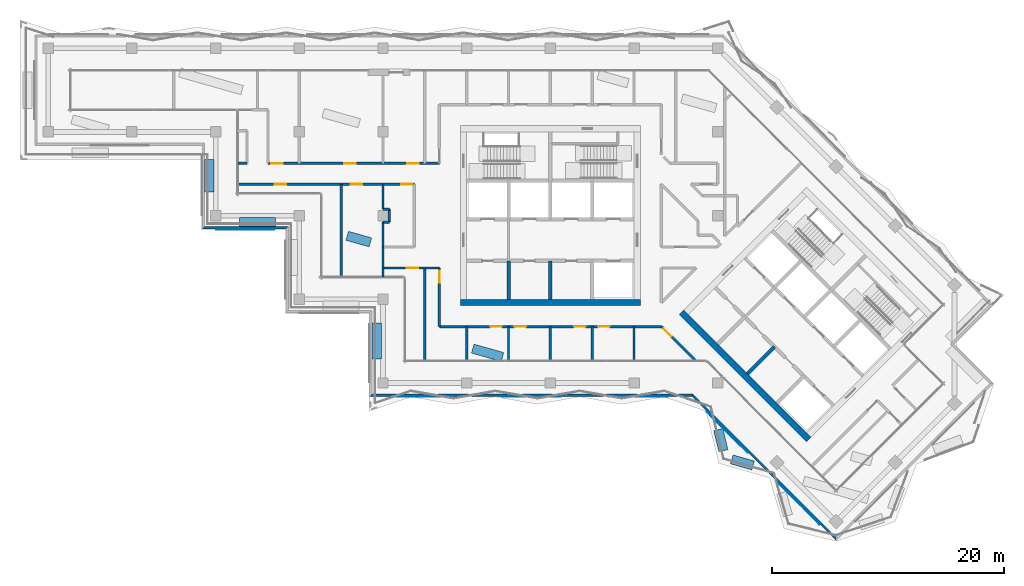
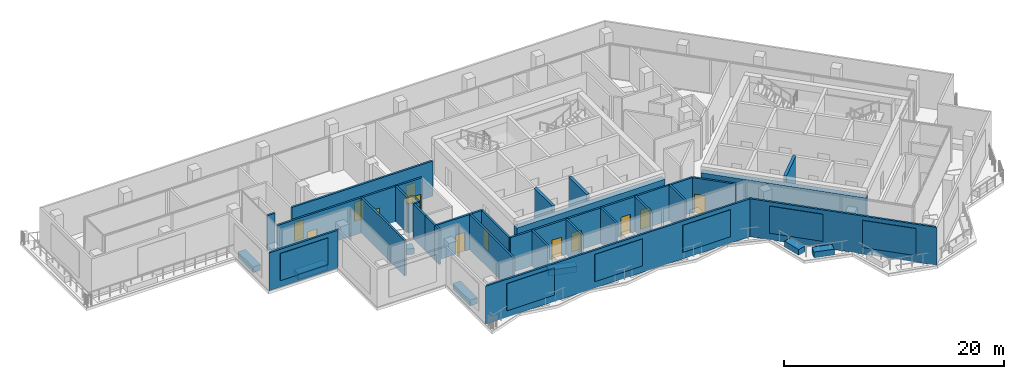
# One storey, part 9 of 19: 36 walls, 13 doors, 6 plates, 13 openings.
"""IFC4 building model written with IfcOpenShell, lengths in metres."""

from ifc_helpers import new_model, si_unit, direction, frame, frame_2d, origin, place, context, subcontext, project, spatial, polyline, rectangle, outline, extrude, material, layer, layer_set, type_object, element, fill, aggregate, save


model = new_model("IFC4")

# Units and contexts
model_context = context("Model", 3, precision=1e-05, world=origin(), true_north=direction((0.0, 1.0)))
body_context = subcontext(model_context, "Body", "Model", "MODEL_VIEW")
ifc_project = project(units=[si_unit("LENGTHUNIT", "METRE"), si_unit("AREAUNIT", "SQUARE_METRE"), si_unit("VOLUMEUNIT", "CUBIC_METRE"), si_unit("PLANEANGLEUNIT", "RADIAN"), si_unit("MASSUNIT", "GRAM", prefix="KILO")], contexts=[model_context])

# Plate
ifc_material_1 = material(Name="Aluminium louvre", Category="aluminium")
ifc_layer_1 = layer(ifc_material_1, 0.05)
ifc_layer_set_1 = layer_set([ifc_layer_1], Name="Belt louvre panel 5000x3000")
plate_type = type_object("IfcPlateType", Name="Belt louvre panel 5000x3000", PredefinedType="SHEET", material=ifc_layer_set_1)
site_placement = place(None, origin())
building_placement = place(site_placement, origin())
storey_placement = place(building_placement, frame((0.0, 0.0, 176.2)))
plate_1_placement = place(storey_placement, frame((36.05, 56.4, 0.75), z_axis=(0.0, -1.0, 0.0), x_axis=(1.0, 0.0, 0.0)))
plate_1 = element("IfcPlate", 1, at=plate_1_placement, type_object=plate_type, Name="Belt louvre panel L48 45.1", PredefinedType="SHEET", context=body_context, shape_type="SweptSolid", body=[
    extrude(outline(polyline([(0.0, 0.0), (5.0, 0.0), (5.0, 3.0), (0.0, 3.0), (0.0, 0.0)])), origin(), (0.0, 0.0, -1.0), 0.05),
])

plate_2_placement = place(storey_placement, frame((51.4613, 42.0, 0.75), z_axis=(0.0, -1.0, 0.0), x_axis=(1.0, 0.0, 0.0)))
plate_2 = element("IfcPlate", 2, at=plate_2_placement, type_object=plate_type, Name="Belt louvre panel L48 61.1", PredefinedType="SHEET", context=body_context, shape_type="SweptSolid", body=[
    extrude(outline(polyline([(0.0, 0.0), (5.0, 0.0), (5.0, 3.0), (0.0, 3.0), (0.0, 0.0)])), origin(), (0.0, 0.0, -1.0), 0.05),
])

plate_3_placement = place(storey_placement, frame((60.684, 42.0, 0.75), z_axis=(0.0, -1.0, 0.0), x_axis=(1.0, 0.0, 0.0)))
plate_3 = element("IfcPlate", 3, at=plate_3_placement, type_object=plate_type, Name="Belt louvre panel L48 62.2", PredefinedType="SHEET", context=body_context, shape_type="SweptSolid", body=[
    extrude(outline(polyline([(0.0, 0.0), (5.0, 0.0), (5.0, 3.0), (0.0, 3.0), (0.0, 0.0)])), origin(), (0.0, 0.0, -1.0), 0.05),
])

plate_4_placement = place(storey_placement, frame((69.9067, 42.0, 0.75), z_axis=(0.0, -1.0, 0.0), x_axis=(1.0, 0.0, 0.0)))
plate_4 = element("IfcPlate", 4, at=plate_4_placement, type_object=plate_type, Name="Belt louvre panel L48 63.3", PredefinedType="SHEET", context=body_context, shape_type="SweptSolid", body=[
    extrude(outline(polyline([(0.0, 0.0), (5.0, 0.0), (5.0, 3.0), (0.0, 3.0), (0.0, 0.0)])), origin(), (0.0, 0.0, -1.0), 0.05),
])

plate_5_placement = place(storey_placement, frame((78.2353, 40.7207, 0.75), z_axis=(-0.7071167811, -0.7070967812, 0.0), x_axis=(0.7070967812, -0.7071167811, 0.0)))
plate_5 = element("IfcPlate", 5, at=plate_5_placement, type_object=plate_type, Name="Belt louvre panel L48 69.1", PredefinedType="SHEET", context=body_context, shape_type="SweptSolid", body=[
    extrude(outline(polyline([(0.0, 0.0), (5.0, 0.0), (5.0, 3.0), (0.0, 3.0), (0.0, 0.0)])), origin(), (0.0, 0.0, -1.0), 0.05),
])

plate_6_placement = place(storey_placement, frame((84.4174, 34.5385, 0.75), z_axis=(-0.7070967812, -0.7071167811, 0.0), x_axis=(0.7071167811, -0.7070967812, 0.0)))
plate_6 = element("IfcPlate", 6, at=plate_6_placement, type_object=plate_type, Name="Belt louvre panel L48 70.2", PredefinedType="SHEET", context=body_context, shape_type="SweptSolid", body=[
    extrude(outline(polyline([(0.0, 0.0), (5.0, 0.0), (5.0, 3.0), (0.0, 3.0), (0.0, 0.0)])), origin(), (0.0, 0.0, -1.0), 0.05),
])

# Site, building, storey
site = spatial("IfcSite", under=ifc_project, at=site_placement, CompositionType="ELEMENT")
building = spatial("IfcBuilding", under=site, at=building_placement, Name="Windrow Commons", CompositionType="ELEMENT")
storey = spatial("IfcBuildingStorey", under=building, at=storey_placement, Name="L48", CompositionType="ELEMENT", Elevation=176.2)

# Wall
ifc_material_2 = material(Name="Concrete C40/50 precast screen panel", Category="concrete")
ifc_layer_2 = layer(ifc_material_2, 0.2)
ifc_layer_set_2 = layer_set([ifc_layer_2], Name="Belt screen wall 200")
wall_type_1 = type_object("IfcWallType", Name="Belt screen wall 200", PredefinedType="SOLIDWALL", material=ifc_layer_set_2)
wall_1_placement = place(storey_placement, frame((34.95, 56.55, 0.0), z_axis=(0.0, 0.0, 1.0), x_axis=(1.0, 0.0, 0.0)))
wall_1 = element("IfcWall", 7, at=wall_1_placement, inside=storey, type_object=wall_type_1, Name="Belt screen wall L48 45", PredefinedType="SOLIDWALL", context=body_context, shape_type="SweptSolid", body=[
    extrude(outline(polyline([(-0.1, -0.1), (7.1, -0.1), (7.3, 0.1), (0.1, 0.1), (-0.1, -0.1)])), origin(), (0.0, 0.0, 1.0), 4.2),
])

aggregate(wall_1, [plate_1])

wall_2_placement = place(storey_placement, frame((49.35, 42.15, 0.0), z_axis=(0.0, 0.0, 1.0), x_axis=(1.0, 0.0, 0.0)))
wall_2 = element("IfcWall", 8, at=wall_2_placement, inside=storey, type_object=wall_type_1, Name="Belt screen wall L48 61", PredefinedType="SOLIDWALL", context=body_context, shape_type="SweptSolid", body=[
    extrude(outline(polyline([(-0.1, -0.1), (27.6266, -0.1), (27.7095, 0.1), (0.1, 0.1), (-0.1, -0.1)])), origin(), (0.0, 0.0, 1.0), 4.2),
])

aggregate(wall_2, [plate_2, plate_3, plate_4])

wall_3_placement = place(storey_placement, frame((77.0181, 42.15, 0.0), z_axis=(0.0, 0.0, 1.0), x_axis=(0.7071039217, -0.7071096407, 0.0)))
wall_3 = element("IfcWall", 9, at=wall_3_placement, inside=storey, type_object=wall_type_1, Name="Belt screen wall L48 69", PredefinedType="SOLIDWALL", context=body_context, shape_type="SweptSolid", body=[
    extrude(outline(polyline([(0.0414, -0.1), (17.5857, -0.1), (17.3857, 0.1), (-0.0414, 0.1), (0.0414, -0.1)])), origin(), (0.0, 0.0, 1.0), 4.2),
])

aggregate(wall_3, [plate_5, plate_6])

# Wall, openings, doors
ifc_material_3 = material(Name="Blockwork partition", Category="masonry")
ifc_layer_3 = layer(ifc_material_3, 0.2)
ifc_layer_set_3 = layer_set([ifc_layer_3], Name="IW-CORRIDOR-200")
wall_type_2 = type_object("IfcWallType", Name="IW-CORRIDOR-200", PredefinedType="PARTITIONING", material=ifc_layer_set_3)
wall_4_placement = place(storey_placement, frame((55.25, 48.05, 0.0), z_axis=(0.0, 0.0, 1.0), x_axis=(1.0, 0.0, 0.0)))
wall_4 = element("IfcWall", 10, at=wall_4_placement, inside=storey, type_object=wall_type_2, Name="W-L48-W000", PredefinedType="PARTITIONING", context=body_context, shape_type="SweptSolid", body=[
    extrude(rectangle(XDim=19.12, YDim=0.2, at=frame_2d((9.56, 0.0))), origin(), (0.0, 0.0, 1.0), 3.9),
])
opening_1_placement = place(wall_4_placement, frame((4.3825, 0.0, 0.0)))
opening_1 = element("IfcOpeningElement", 11, at=opening_1_placement, cuts=wall_4, Name="Opening D310F", PredefinedType="OPENING", context=body_context, shape_type="SweptSolid", body=[
    extrude(rectangle(XDim=1.0, YDim=2.1, at=frame_2d((0.5, 1.05))), frame((0.0, 0.11, 0.0), z_axis=(0.0, -1.0, 0.0), x_axis=(1.0, 0.0, 0.0)), (0.0, 0.0, 1.0), 0.22),
])
opening_2_placement = place(wall_4_placement, frame((6.4575, 0.0, 0.0)))
opening_2 = element("IfcOpeningElement", 12, at=opening_2_placement, cuts=wall_4, Name="Opening D310F", PredefinedType="OPENING", context=body_context, shape_type="SweptSolid", body=[
    extrude(rectangle(XDim=1.0, YDim=2.1, at=frame_2d((0.5, 1.05))), frame((0.0, 0.11, 0.0), z_axis=(0.0, -1.0, 0.0), x_axis=(1.0, 0.0, 0.0)), (0.0, 0.0, 1.0), 0.22),
])
opening_3_placement = place(wall_4_placement, frame((11.5825, 0.0, 0.0)))
opening_3 = element("IfcOpeningElement", 13, at=opening_3_placement, cuts=wall_4, Name="Opening D310F", PredefinedType="OPENING", context=body_context, shape_type="SweptSolid", body=[
    extrude(rectangle(XDim=1.0, YDim=2.1, at=frame_2d((0.5, 1.05))), frame((0.0, 0.11, 0.0), z_axis=(0.0, -1.0, 0.0), x_axis=(1.0, 0.0, 0.0)), (0.0, 0.0, 1.0), 0.22),
])
opening_4_placement = place(wall_4_placement, frame((13.6575, 0.0, 0.0)))
opening_4 = element("IfcOpeningElement", 14, at=opening_4_placement, cuts=wall_4, Name="Opening D310F", PredefinedType="OPENING", context=body_context, shape_type="SweptSolid", body=[
    extrude(rectangle(XDim=1.0, YDim=2.1, at=frame_2d((0.5, 1.05))), frame((0.0, 0.11, 0.0), z_axis=(0.0, -1.0, 0.0), x_axis=(1.0, 0.0, 0.0)), (0.0, 0.0, 1.0), 0.22),
])
ifc_material_4 = material(Name="Timber door leaf", Category="wood")
door_type_1 = type_object("IfcDoorType", Name="DT-AMENITY-1000", OperationType="SINGLE_SWING_LEFT", PredefinedType="DOOR", material=ifc_material_4)
door_1_placement = place(opening_1_placement, origin())
door_1 = element("IfcDoor", 15, at=door_1_placement, inside=storey, type_object=door_type_1, Name="D-L48-D006", OperationType="SINGLE_SWING_LEFT", OverallHeight=2.1, OverallWidth=1.0, PredefinedType="DOOR", context=body_context, shape_type="SweptSolid", body=[
    extrude(rectangle(XDim=1.0, YDim=2.1, at=frame_2d((0.5, 1.05))), frame((0.0, 0.025, 0.0), z_axis=(0.0, -1.0, 0.0), x_axis=(1.0, 0.0, 0.0)), (0.0, 0.0, 1.0), 0.05),
])
fill(opening_1, door_1)
door_2_placement = place(opening_2_placement, origin())
door_2 = element("IfcDoor", 16, at=door_2_placement, inside=storey, type_object=door_type_1, Name="D-L48-D007", OperationType="SINGLE_SWING_RIGHT", OverallHeight=2.1, OverallWidth=1.0, PredefinedType="DOOR", context=body_context, shape_type="SweptSolid", body=[
    extrude(rectangle(XDim=1.0, YDim=2.1, at=frame_2d((0.5, 1.05))), frame((0.0, 0.025, 0.0), z_axis=(0.0, -1.0, 0.0), x_axis=(1.0, 0.0, 0.0)), (0.0, 0.0, 1.0), 0.05),
])
fill(opening_2, door_2)
door_3_placement = place(opening_3_placement, origin())
door_3 = element("IfcDoor", 17, at=door_3_placement, inside=storey, type_object=door_type_1, Name="D-L48-D008", OperationType="SINGLE_SWING_LEFT", OverallHeight=2.1, OverallWidth=1.0, PredefinedType="DOOR", context=body_context, shape_type="SweptSolid", body=[
    extrude(rectangle(XDim=1.0, YDim=2.1, at=frame_2d((0.5, 1.05))), frame((0.0, 0.025, 0.0), z_axis=(0.0, -1.0, 0.0), x_axis=(1.0, 0.0, 0.0)), (0.0, 0.0, 1.0), 0.05),
])
fill(opening_3, door_3)
door_4_placement = place(opening_4_placement, origin())
door_4 = element("IfcDoor", 18, at=door_4_placement, inside=storey, type_object=door_type_1, Name="D-L48-D009", OperationType="SINGLE_SWING_RIGHT", OverallHeight=2.1, OverallWidth=1.0, PredefinedType="DOOR", context=body_context, shape_type="SweptSolid", body=[
    extrude(rectangle(XDim=1.0, YDim=2.1, at=frame_2d((0.5, 1.05))), frame((0.0, 0.025, 0.0), z_axis=(0.0, -1.0, 0.0), x_axis=(1.0, 0.0, 0.0)), (0.0, 0.0, 1.0), 0.05),
])
fill(opening_4, door_4)

wall_5_placement = place(storey_placement, frame((37.93, 60.3, 0.0), z_axis=(0.0, 0.0, 1.0), x_axis=(1.0, 0.0, 0.0)))
wall_5 = element("IfcWall", 19, at=wall_5_placement, inside=storey, type_object=wall_type_2, Name="W-L48-W002", PredefinedType="PARTITIONING", context=body_context, shape_type="SweptSolid", body=[
    extrude(rectangle(XDim=15.17, YDim=0.2, at=frame_2d((7.585, 0.0))), origin(), (0.0, 0.0, 1.0), 3.9),
])
opening_5_placement = place(wall_5_placement, frame((3.1392, 0.0, 0.0)))
opening_5 = element("IfcOpeningElement", 20, at=opening_5_placement, cuts=wall_5, Name="Opening D310F", PredefinedType="OPENING", context=body_context, shape_type="SweptSolid", body=[
    extrude(rectangle(XDim=1.0, YDim=2.1, at=frame_2d((0.5, 1.05))), frame((0.0, 0.11, 0.0), z_axis=(0.0, -1.0, 0.0), x_axis=(1.0, 0.0, 0.0)), (0.0, 0.0, 1.0), 0.22),
])
opening_6_placement = place(wall_5_placement, frame((9.705, 0.0, 0.0)))
opening_6 = element("IfcOpeningElement", 21, at=opening_6_placement, cuts=wall_5, Name="Opening D310F", PredefinedType="OPENING", context=body_context, shape_type="SweptSolid", body=[
    extrude(rectangle(XDim=1.0, YDim=2.1, at=frame_2d((0.5, 1.05))), frame((0.0, 0.11, 0.0), z_axis=(0.0, -1.0, 0.0), x_axis=(1.0, 0.0, 0.0)), (0.0, 0.0, 1.0), 0.22),
])
opening_7_placement = place(wall_5_placement, frame((14.0256, 0.0, 0.0)))
opening_7 = element("IfcOpeningElement", 22, at=opening_7_placement, cuts=wall_5, Name="Opening D410F", PredefinedType="OPENING", context=body_context, shape_type="SweptSolid", body=[
    extrude(rectangle(XDim=1.0, YDim=2.1, at=frame_2d((0.5, 1.05))), frame((0.0, 0.11, 0.0), z_axis=(0.0, -1.0, 0.0), x_axis=(1.0, 0.0, 0.0)), (0.0, 0.0, 1.0), 0.22),
])
door_5_placement = place(opening_5_placement, origin())
door_5 = element("IfcDoor", 23, at=door_5_placement, inside=storey, type_object=door_type_1, Name="D-L48-D000", OperationType="SINGLE_SWING_RIGHT", OverallHeight=2.1, OverallWidth=1.0, PredefinedType="DOOR", context=body_context, shape_type="SweptSolid", body=[
    extrude(rectangle(XDim=1.0, YDim=2.1, at=frame_2d((0.5, 1.05))), frame((0.0, 0.025, 0.0), z_axis=(0.0, -1.0, 0.0), x_axis=(1.0, 0.0, 0.0)), (0.0, 0.0, 1.0), 0.05),
])
fill(opening_5, door_5)
door_6_placement = place(opening_6_placement, origin())
door_6 = element("IfcDoor", 24, at=door_6_placement, inside=storey, type_object=door_type_1, Name="D-L48-D001", OperationType="SINGLE_SWING_RIGHT", OverallHeight=2.1, OverallWidth=1.0, PredefinedType="DOOR", context=body_context, shape_type="SweptSolid", body=[
    extrude(rectangle(XDim=1.0, YDim=2.1, at=frame_2d((0.5, 1.05))), frame((0.0, 0.025, 0.0), z_axis=(0.0, -1.0, 0.0), x_axis=(1.0, 0.0, 0.0)), (0.0, 0.0, 1.0), 0.05),
])
fill(opening_6, door_6)
ifc_material_5 = material(Name="Timber door leaf", Category="wood")
door_type_2 = type_object("IfcDoorType", Name="DT-SERVICE-1000", OperationType="SINGLE_SWING_LEFT", PredefinedType="DOOR", material=ifc_material_5)
door_7_placement = place(opening_7_placement, origin())
door_7 = element("IfcDoor", 25, at=door_7_placement, inside=storey, type_object=door_type_2, Name="D-L48-D002", OperationType="SINGLE_SWING_LEFT", OverallHeight=2.1, OverallWidth=1.0, PredefinedType="DOOR", context=body_context, shape_type="SweptSolid", body=[
    extrude(rectangle(XDim=1.0, YDim=2.1, at=frame_2d((0.5, 1.05))), frame((0.0, 0.025, 0.0), z_axis=(0.0, -1.0, 0.0), x_axis=(1.0, 0.0, 0.0)), (0.0, 0.0, 1.0), 0.05),
])
fill(opening_7, door_7)

wall_6_placement = place(storey_placement, frame((40.502, 62.1, 0.0), z_axis=(0.0, 0.0, 1.0), x_axis=(1.0, 0.0, 0.0)))
wall_6 = element("IfcWall", 26, at=wall_6_placement, inside=storey, type_object=wall_type_2, Name="W-L48-W003", PredefinedType="PARTITIONING", context=body_context, shape_type="SweptSolid", body=[
    extrude(rectangle(XDim=14.748, YDim=0.2, at=frame_2d((7.374, 0.0))), origin(), (0.0, 0.0, 1.0), 3.9),
])
opening_8_placement = place(wall_6_placement, frame((0.2647, 0.0, 0.0)))
opening_8 = element("IfcOpeningElement", 27, at=opening_8_placement, cuts=wall_6, Name="Opening D310F", PredefinedType="OPENING", context=body_context, shape_type="SweptSolid", body=[
    extrude(rectangle(XDim=1.0, YDim=2.1, at=frame_2d((0.5, 1.05))), frame((0.0, 0.11, 0.0), z_axis=(0.0, -1.0, 0.0), x_axis=(1.0, 0.0, 0.0)), (0.0, 0.0, 1.0), 0.22),
])
opening_9_placement = place(wall_6_placement, frame((6.5605, 0.0, 0.0)))
opening_9 = element("IfcOpeningElement", 28, at=opening_9_placement, cuts=wall_6, Name="Opening D310F", PredefinedType="OPENING", context=body_context, shape_type="SweptSolid", body=[
    extrude(rectangle(XDim=1.0, YDim=2.1, at=frame_2d((0.5, 1.05))), frame((0.0, 0.11, 0.0), z_axis=(0.0, -1.0, 0.0), x_axis=(1.0, 0.0, 0.0)), (0.0, 0.0, 1.0), 0.22),
])
opening_10_placement = place(wall_6_placement, frame((11.9905, 0.0, 0.0)))
opening_10 = element("IfcOpeningElement", 29, at=opening_10_placement, cuts=wall_6, Name="Opening D310F", PredefinedType="OPENING", context=body_context, shape_type="SweptSolid", body=[
    extrude(rectangle(XDim=1.0, YDim=2.1, at=frame_2d((0.5, 1.05))), frame((0.0, 0.11, 0.0), z_axis=(0.0, -1.0, 0.0), x_axis=(1.0, 0.0, 0.0)), (0.0, 0.0, 1.0), 0.22),
])
door_8_placement = place(opening_8_placement, origin())
door_8 = element("IfcDoor", 30, at=door_8_placement, inside=storey, type_object=door_type_1, Name="D-L48-D012", OperationType="SINGLE_SWING_LEFT", OverallHeight=2.1, OverallWidth=1.0, PredefinedType="DOOR", context=body_context, shape_type="SweptSolid", body=[
    extrude(rectangle(XDim=1.0, YDim=2.1, at=frame_2d((0.5, 1.05))), frame((0.0, 0.025, 0.0), z_axis=(0.0, -1.0, 0.0), x_axis=(1.0, 0.0, 0.0)), (0.0, 0.0, 1.0), 0.05),
])
fill(opening_8, door_8)
door_9_placement = place(opening_9_placement, origin())
door_9 = element("IfcDoor", 31, at=door_9_placement, inside=storey, type_object=door_type_1, Name="D-L48-D013", OperationType="SINGLE_SWING_RIGHT", OverallHeight=2.1, OverallWidth=1.0, PredefinedType="DOOR", context=body_context, shape_type="SweptSolid", body=[
    extrude(rectangle(XDim=1.0, YDim=2.1, at=frame_2d((0.5, 1.05))), frame((0.0, 0.025, 0.0), z_axis=(0.0, -1.0, 0.0), x_axis=(1.0, 0.0, 0.0)), (0.0, 0.0, 1.0), 0.05),
])
fill(opening_9, door_9)
door_10_placement = place(opening_10_placement, origin())
door_10 = element("IfcDoor", 32, at=door_10_placement, inside=storey, type_object=door_type_1, Name="D-L48-D014", OperationType="SINGLE_SWING_RIGHT", OverallHeight=2.1, OverallWidth=1.0, PredefinedType="DOOR", context=body_context, shape_type="SweptSolid", body=[
    extrude(rectangle(XDim=1.0, YDim=2.1, at=frame_2d((0.5, 1.05))), frame((0.0, 0.025, 0.0), z_axis=(0.0, -1.0, 0.0), x_axis=(1.0, 0.0, 0.0)), (0.0, 0.0, 1.0), 0.05),
])
fill(opening_10, door_10)

# Wall, opening, door
wall_7_placement = place(storey_placement, frame((55.25, 48.05, 0.0), z_axis=(0.0, 0.0, 1.0), x_axis=(0.0, 1.0, 0.0)))
wall_7 = element("IfcWall", 33, at=wall_7_placement, inside=storey, type_object=wall_type_2, Name="W-L48-W014", PredefinedType="PARTITIONING", context=body_context, shape_type="SweptSolid", body=[
    extrude(rectangle(XDim=5.05, YDim=0.2, at=frame_2d((2.525, 0.0))), origin(), (0.0, 0.0, 1.0), 3.9),
])
opening_11_placement = place(wall_7_placement, frame((3.7888, 0.0, 0.0)))
opening_11 = element("IfcOpeningElement", 34, at=opening_11_placement, cuts=wall_7, Name="Opening D310F", PredefinedType="OPENING", context=body_context, shape_type="SweptSolid", body=[
    extrude(rectangle(XDim=1.0, YDim=2.1, at=frame_2d((0.5, 1.05))), frame((0.0, 0.11, 0.0), z_axis=(0.0, -1.0, 0.0), x_axis=(1.0, 0.0, 0.0)), (0.0, 0.0, 1.0), 0.22),
])
door_11_placement = place(opening_11_placement, origin())
door_11 = element("IfcDoor", 35, at=door_11_placement, inside=storey, type_object=door_type_1, Name="D-L48-D005", OperationType="SINGLE_SWING_RIGHT", OverallHeight=2.1, OverallWidth=1.0, PredefinedType="DOOR", context=body_context, shape_type="SweptSolid", body=[
    extrude(rectangle(XDim=1.0, YDim=2.1, at=frame_2d((0.5, 1.05))), frame((0.0, 0.025, 0.0), z_axis=(0.0, -1.0, 0.0), x_axis=(1.0, 0.0, 0.0)), (0.0, 0.0, 1.0), 0.05),
])
fill(opening_11, door_11)

wall_8_placement = place(storey_placement, frame((50.4, 53.1, 0.0), z_axis=(0.0, 0.0, 1.0), x_axis=(1.0, 0.0, 0.0)))
wall_8 = element("IfcWall", 36, at=wall_8_placement, inside=storey, type_object=wall_type_2, Name="W-L48-W016", PredefinedType="PARTITIONING", context=body_context, shape_type="SweptSolid", body=[
    extrude(rectangle(XDim=4.85, YDim=0.2, at=frame_2d((2.425, 0.0))), origin(), (0.0, 0.0, 1.0), 3.9),
])
opening_12_placement = place(wall_8_placement, frame((2.0325, 0.0, 0.0)))
opening_12 = element("IfcOpeningElement", 37, at=opening_12_placement, cuts=wall_8, Name="Opening D310F", PredefinedType="OPENING", context=body_context, shape_type="SweptSolid", body=[
    extrude(rectangle(XDim=1.0, YDim=2.1, at=frame_2d((0.5, 1.05))), frame((0.0, 0.11, 0.0), z_axis=(0.0, -1.0, 0.0), x_axis=(1.0, 0.0, 0.0)), (0.0, 0.0, 1.0), 0.22),
])
door_12_placement = place(opening_12_placement, origin())
door_12 = element("IfcDoor", 38, at=door_12_placement, inside=storey, type_object=door_type_1, Name="D-L48-D004", OperationType="SINGLE_SWING_LEFT", OverallHeight=2.1, OverallWidth=1.0, PredefinedType="DOOR", context=body_context, shape_type="SweptSolid", body=[
    extrude(rectangle(XDim=1.0, YDim=2.1, at=frame_2d((0.5, 1.05))), frame((0.0, 0.025, 0.0), z_axis=(0.0, -1.0, 0.0), x_axis=(1.0, 0.0, 0.0)), (0.0, 0.0, 1.0), 0.05),
])
fill(opening_12, door_12)

wall_9_placement = place(storey_placement, frame((77.2872, 45.1272, 0.0), z_axis=(0.0, 0.0, 1.0), x_axis=(-0.7069614206, 0.7072521119, 0.0)))
wall_9 = element("IfcWall", 39, at=wall_9_placement, inside=storey, type_object=wall_type_2, Name="W-L48-W024", PredefinedType="PARTITIONING", context=body_context, shape_type="SweptSolid", body=[
    extrude(rectangle(XDim=4.1281, YDim=0.2, at=frame_2d((2.064, 0.0))), origin(), (0.0, 0.0, 1.0), 3.9),
])
opening_13_placement = place(wall_9_placement, frame((2.9059, 0.0, 0.0)))
opening_13 = element("IfcOpeningElement", 40, at=opening_13_placement, cuts=wall_9, Name="Opening D310F", PredefinedType="OPENING", context=body_context, shape_type="SweptSolid", body=[
    extrude(rectangle(XDim=1.0, YDim=2.1, at=frame_2d((0.5, 1.05))), frame((0.0, 0.11, 0.0), z_axis=(0.0, -1.0, 0.0), x_axis=(1.0, 0.0, 0.0)), (0.0, 0.0, 1.0), 0.22),
])
door_13_placement = place(opening_13_placement, origin())
door_13 = element("IfcDoor", 41, at=door_13_placement, inside=storey, type_object=door_type_1, Name="D-L48-D010", OperationType="SINGLE_SWING_LEFT", OverallHeight=2.1, OverallWidth=1.0, PredefinedType="DOOR", context=body_context, shape_type="SweptSolid", body=[
    extrude(rectangle(XDim=1.0, YDim=2.1, at=frame_2d((0.5, 1.05))), frame((0.0, 0.025, 0.0), z_axis=(0.0, -1.0, 0.0), x_axis=(1.0, 0.0, 0.0)), (0.0, 0.0, 1.0), 0.05),
])
fill(opening_13, door_13)

# Walls
wall_10_placement = place(storey_placement, frame((50.4, 53.1, 0.0), z_axis=(0.0, 0.0, 1.0), x_axis=(0.0, 1.0, 0.0)))
element("IfcWall", 42, at=wall_10_placement, inside=storey, type_object=wall_type_2, Name="W-L48-W054", PredefinedType="PARTITIONING", context=body_context, shape_type="SweptSolid", body=[
    extrude(rectangle(XDim=1.8, YDim=0.2, at=frame_2d((0.9, 0.0))), origin(), (0.0, 0.0, 1.0), 3.9),
])
wall_11_placement = place(storey_placement, frame((37.93, 62.1, 0.0), z_axis=(0.0, 0.0, 1.0), x_axis=(1.0, 0.0, 0.0)))
element("IfcWall", 43, at=wall_11_placement, inside=storey, type_object=wall_type_2, Name="W-L48-W065", PredefinedType="PARTITIONING", context=body_context, shape_type="SweptSolid", body=[
    extrude(rectangle(XDim=0.77, YDim=0.2, at=frame_2d((0.385, 0.0))), origin(), (0.0, 0.0, 1.0), 3.9),
])
ifc_material_6 = material(Name="Blockwork partition", Category="masonry")
ifc_layer_4 = layer(ifc_material_6, 0.2)
ifc_layer_set_4 = layer_set([ifc_layer_4], Name="IW-PARTY-200")
wall_type_3 = type_object("IfcWallType", Name="IW-PARTY-200", PredefinedType="PARTITIONING", material=ifc_layer_set_4)
for number, where, z_axis, x_axis, name in (
    (44, (46.8, 52.33, 0.0), (0.0, 0.0, 1.0), (0.0, 1.0, 0.0), "W-L48-W006"),
    (45, (54.0, 45.13, 0.0), (0.0, 0.0, 1.0), (0.0, 1.0, 0.0), "W-L48-W007"),
):
    element("IfcWall", number, at=place(storey_placement, frame(where, z_axis=z_axis, x_axis=x_axis)), inside=storey, type_object=wall_type_3, Name=name, PredefinedType="PARTITIONING", context=body_context, shape_type="SweptSolid", body=[
        extrude(rectangle(XDim=7.97, YDim=0.2, at=frame_2d((3.985, 0.0))), origin(), (0.0, 0.0, 1.0), 3.9),
    ])
for number, where, z_axis, x_axis, name in (
    (46, (57.6, 45.13, 0.0), (0.0, 0.0, 1.0), (0.0, 1.0, 0.0), "W-L48-W032"),
    (47, (61.2, 45.13, 0.0), (0.0, 0.0, 1.0), (0.0, 1.0, 0.0), "W-L48-W033"),
    (48, (64.8, 45.13, 0.0), (0.0, 0.0, 1.0), (0.0, 1.0, 0.0), "W-L48-W034"),
    (49, (68.4, 45.13, 0.0), (0.0, 0.0, 1.0), (0.0, 1.0, 0.0), "W-L48-W035"),
    (50, (72.0, 45.13, 0.0), (0.0, 0.0, 1.0), (0.0, 1.0, 0.0), "W-L48-W036"),
):
    element("IfcWall", number, at=place(storey_placement, frame(where, z_axis=z_axis, x_axis=x_axis)), inside=storey, type_object=wall_type_3, Name=name, PredefinedType="PARTITIONING", context=body_context, shape_type="SweptSolid", body=[
        extrude(rectangle(XDim=2.92, YDim=0.2, at=frame_2d((1.46, 0.0))), origin(), (0.0, 0.0, 1.0), 3.9),
    ])
for number, where, z_axis, x_axis, name in (
    (51, (50.4, 54.9, 0.0), (0.0, 0.0, 1.0), (0.0, 1.0, 0.0), "W-L48-W051"),
    (52, (50.4, 58.156, 0.0), (0.0, 0.0, 1.0), (0.0, 1.0, 0.0), "W-L48-W052"),
):
    element("IfcWall", number, at=place(storey_placement, frame(where, z_axis=z_axis, x_axis=x_axis)), inside=storey, type_object=wall_type_3, Name=name, PredefinedType="PARTITIONING", context=body_context, shape_type="SweptSolid", body=[
        extrude(rectangle(XDim=2.144, YDim=0.2, at=frame_2d((1.072, 0.0))), origin(), (0.0, 0.0, 1.0), 3.9),
    ])
wall_12_placement = place(storey_placement, frame((50.95, 57.044, 0.0), z_axis=(0.0, 0.0, 1.0), x_axis=(0.0, 1.0, 0.0)))
element("IfcWall", 53, at=wall_12_placement, inside=storey, type_object=wall_type_3, Name="W-L48-W060", PredefinedType="PARTITIONING", context=body_context, shape_type="SweptSolid", body=[
    extrude(rectangle(XDim=1.112, YDim=0.2, at=frame_2d((0.556, 0.0))), origin(), (0.0, 0.0, 1.0), 3.9),
])
wall_13_placement = place(storey_placement, frame((50.4, 52.33, 0.0), z_axis=(0.0, 0.0, 1.0), x_axis=(0.0, 1.0, 0.0)))
element("IfcWall", 54, at=wall_13_placement, inside=storey, type_object=wall_type_3, Name="W-L48-W067", PredefinedType="PARTITIONING", context=body_context, shape_type="SweptSolid", body=[
    extrude(rectangle(XDim=0.77, YDim=0.2, at=frame_2d((0.385, 0.0))), origin(), (0.0, 0.0, 1.0), 3.9),
])
for number, where, z_axis, x_axis, name in (
    (55, (50.4, 58.16, 0.0), (0.0, 0.0, 1.0), (1.0, 0.0, 0.0), "W-L48-W068"),
    (56, (50.4, 57.04, 0.0), (0.0, 0.0, 1.0), (1.0, 0.0, 0.0), "W-L48-W069"),
):
    element("IfcWall", number, at=place(storey_placement, frame(where, z_axis=z_axis, x_axis=x_axis)), inside=storey, type_object=wall_type_3, Name=name, PredefinedType="PARTITIONING", context=body_context, shape_type="SweptSolid", body=[
        extrude(rectangle(XDim=0.55, YDim=0.2, at=frame_2d((0.275, 0.0))), origin(), (0.0, 0.0, 1.0), 3.9),
    ])
ifc_material_7 = material(Name="Concrete C30/37 planter wall", Category="concrete")
ifc_layer_5 = layer(ifc_material_7, 0.8)
ifc_layer_set_5 = layer_set([ifc_layer_5], Name="Planter 800x600")
wall_type_4 = type_object("IfcWallType", Name="Planter 800x600", PredefinedType="SOLIDWALL", material=ifc_layer_set_5)
wall_14_placement = place(storey_placement, frame((79.2451, 39.1876, 0.0), z_axis=(0.0, 0.0, 1.0), x_axis=(0.2379162082, -0.9712856829, 0.0)))
element("IfcWall", 57, at=wall_14_placement, inside=storey, type_object=wall_type_4, Name="PLANTER TR-L48-1.2", PredefinedType="SOLIDWALL", context=body_context, shape_type="SweptSolid", body=[
    extrude(rectangle(XDim=1.8654, YDim=0.8, at=frame_2d((0.9327, 0.0))), origin(), (0.0, 0.0, 1.0), 0.65),
])
wall_15_placement = place(storey_placement, frame((80.4087, 36.6283, 0.0), z_axis=(0.0, 0.0, 1.0), x_axis=(0.9616031151, -0.2744438904, 0.0)))
element("IfcWall", 58, at=wall_15_placement, inside=storey, type_object=wall_type_4, Name="PLANTER TR-L48-1.3", PredefinedType="SOLIDWALL", context=body_context, shape_type="SweptSolid", body=[
    extrude(rectangle(XDim=1.9057, YDim=0.8, at=frame_2d((0.9528, 0.0))), origin(), (0.0, 0.0, 1.0), 0.65),
])
wall_16_placement = place(storey_placement, frame((35.45, 62.417, 0.0), z_axis=(0.0, 0.0, 1.0), x_axis=(0.0, -1.0, 0.0)))
element("IfcWall", 59, at=wall_16_placement, inside=storey, type_object=wall_type_4, Name="PLANTER TR-L48-1.35", PredefinedType="SOLIDWALL", context=body_context, shape_type="SweptSolid", body=[
    extrude(rectangle(XDim=2.767, YDim=0.8, at=frame_2d((1.3835, 0.0))), origin(), (0.0, 0.0, 1.0), 0.65),
])
for number, where, z_axis, x_axis, name in (
    (60, (38.05, 57.05, 0.0), (0.0, 0.0, 1.0), (1.0, 0.0, 0.0), "PLANTER TR-L48-1.36"),
    (61, (49.85, 48.35, 0.0), (0.0, 0.0, 1.0), (0.0, -1.0, 0.0), "PLANTER TR-L48-1.39"),
):
    element("IfcWall", number, at=place(storey_placement, frame(where, z_axis=z_axis, x_axis=x_axis)), inside=storey, type_object=wall_type_4, Name=name, PredefinedType="SOLIDWALL", context=body_context, shape_type="SweptSolid", body=[
        extrude(rectangle(XDim=3.1, YDim=0.8, at=frame_2d((1.55, 0.0))), origin(), (0.0, 0.0, 1.0), 0.65),
    ])
wall_17_placement = place(storey_placement, frame((60.68, 45.4354, 0.0), z_axis=(0.0, 0.0, 1.0), x_axis=(-0.9622679046, 0.2721038032, 0.0)))
element("IfcWall", 62, at=wall_17_placement, inside=storey, type_object=wall_type_4, Name="PLANTER TR-L48-1 bed 15", PredefinedType="SOLIDWALL", context=body_context, shape_type="SweptSolid", body=[
    extrude(rectangle(XDim=2.6604, YDim=0.8, at=frame_2d((1.3302, 0.0))), origin(), (0.0, 0.0, 1.0), 0.65),
])
wall_18_placement = place(storey_placement, frame((49.3163, 55.3, 0.0), z_axis=(0.0, 0.0, 1.0), x_axis=(-0.962267982, 0.2721035295, 0.0)))
element("IfcWall", 63, at=wall_18_placement, inside=storey, type_object=wall_type_4, Name="PLANTER TR-L48-1 bed 13", PredefinedType="SOLIDWALL", context=body_context, shape_type="SweptSolid", body=[
    extrude(outline(polyline([(0.0, -0.4), (2.0746, -0.4), (2.0746, 0.4), (0.0, 0.4), (0.0, -0.4)])), origin(), (0.0, 0.0, 1.0), 0.65),
])
ifc_material_8 = material(Name="Concrete C50/60", Category="concrete")
ifc_layer_6 = layer(ifc_material_8, 0.55)
ifc_layer_set_6 = layer_set([ifc_layer_6], Name="RC CORE WALL 550 C50/60")
wall_type_5 = type_object("IfcWallType", Name="RC CORE WALL 550 C50/60", PredefinedType="SHEAR", material=ifc_layer_set_6)
for number, where, z_axis, x_axis, name in (
    (64, (57.05, 50.125, -0.3), (0.0, 0.0, 1.0), (1.0, 0.0, 0.0), "Core A wall outer-S"),
    (65, (76.0711, 49.2842, -0.3), (0.0, 0.0, 1.0), (0.7071035554, -0.707110007, 0.0), "Core B wall outer-S"),
):
    element("IfcWall", number, at=place(storey_placement, frame(where, z_axis=z_axis, x_axis=x_axis)), inside=storey, type_object=wall_type_5, Name=name, PredefinedType="SHEAR", context=body_context, shape_type="SweptSolid", body=[
        extrude(rectangle(XDim=15.5, YDim=0.55, at=frame_2d((7.75, 0.0))), origin(), (0.0, 0.0, 1.0), 3.5),
    ])
ifc_material_9 = material(Name="Concrete C50/60", Category="concrete")
ifc_layer_7 = layer(ifc_material_9, 0.3)
ifc_layer_set_7 = layer_set([ifc_layer_7], Name="RC SHAFT WALL 300 C50/60")
wall_type_6 = type_object("IfcWallType", Name="RC SHAFT WALL 300 C50/60", PredefinedType="SOLIDWALL", material=ifc_layer_set_7)
for number, where, z_axis, x_axis, name in (
    (66, (61.2, 50.4, 0.0), (0.0, 0.0, 1.0), (0.0, 1.0, 0.0), "Core A wall shaft-S1"),
    (67, (64.8, 50.4, 0.0), (0.0, 0.0, 1.0), (0.0, 1.0, 0.0), "Core A wall shaft-S2"),
):
    element("IfcWall", number, at=place(storey_placement, frame(where, z_axis=z_axis, x_axis=x_axis)), inside=storey, type_object=wall_type_6, Name=name, PredefinedType="SOLIDWALL", context=body_context, shape_type="SweptSolid", body=[
        extrude(rectangle(XDim=3.3, YDim=0.3, at=frame_2d((1.65, 0.0))), origin(), (0.0, 0.0, 1.0), 3.9),
    ])
wall_19_placement = place(storey_placement, frame((81.7456, 43.9986, 0.0), z_axis=(0.0, 0.0, 1.0), x_axis=(0.7071067812, 0.7071067812, 0.0)))
element("IfcWall", 68, at=wall_19_placement, inside=storey, type_object=wall_type_6, Name="Core B wall shaft-S2", PredefinedType="SOLIDWALL", context=body_context, shape_type="SweptSolid", body=[
    extrude(rectangle(XDim=3.2999, YDim=0.3, at=frame_2d((1.65, 0.0))), origin(), (0.0, 0.0, 1.0), 3.9),
])

save(model, "model.ifc")
